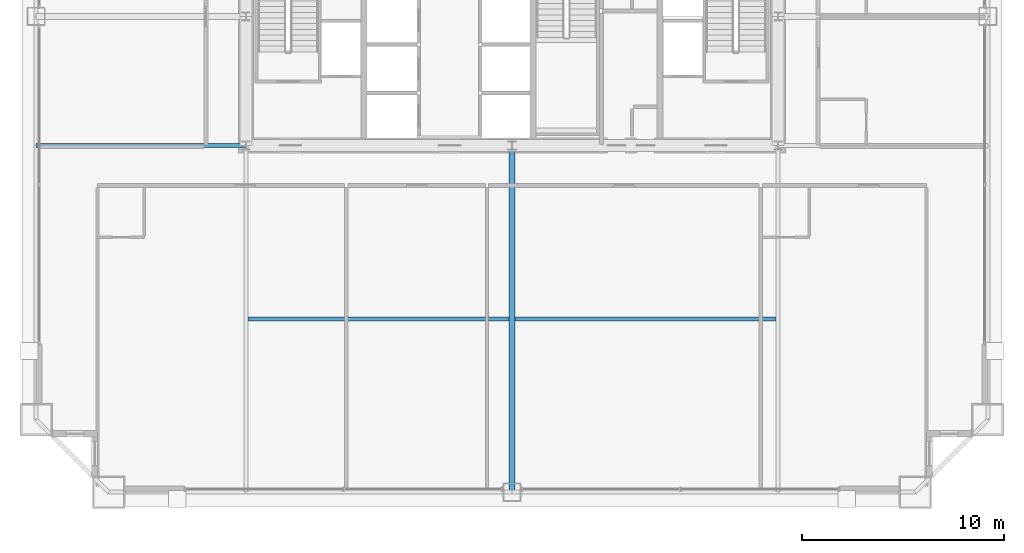
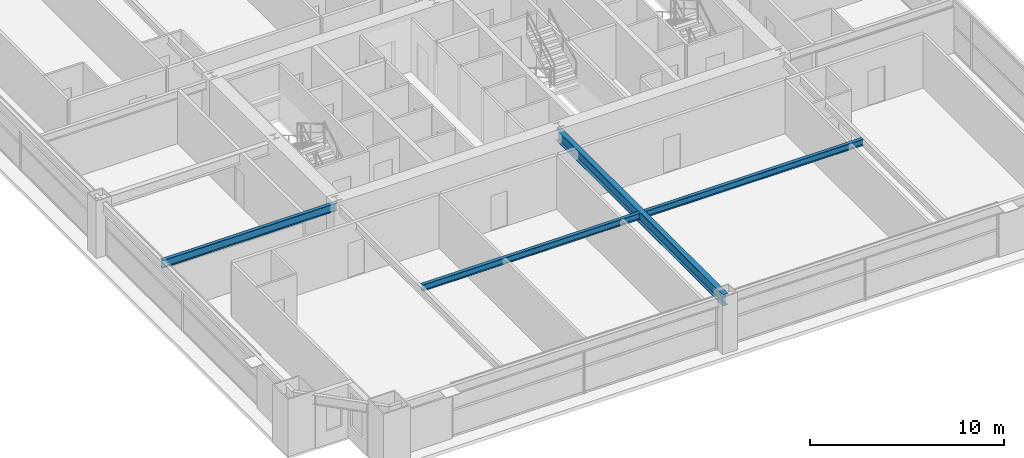
# One storey, part 10 of 38: 4 beams.
"""IFC4 building model written with IfcOpenShell, lengths in metres."""

from ifc_helpers import new_model, si_unit, direction, frame, origin, origin_2d, place, context, subcontext, project, spatial, i_section, extrude, source, transform, mapped, material, material_profile, profile_set, type_object, element, save


model = new_model("IFC4")

# Units and contexts
model_context = context("Model", 3, precision=1e-05, world=origin(), true_north=direction((0.0, 1.0)))
body_context = subcontext(model_context, "Body", "Model", "MODEL_VIEW")
ifc_project = project(units=[si_unit("LENGTHUNIT", "METRE"), si_unit("AREAUNIT", "SQUARE_METRE"), si_unit("VOLUMEUNIT", "CUBIC_METRE"), si_unit("PLANEANGLEUNIT", "RADIAN"), si_unit("MASSUNIT", "GRAM", prefix="KILO"), si_unit("THERMODYNAMICTEMPERATUREUNIT", "KELVIN"), si_unit("POWERUNIT", "WATT")], contexts=[model_context])

# Site, building, storey
site_placement = place(None, origin())
site = spatial("IfcSite", under=ifc_project, at=site_placement, CompositionType="ELEMENT")
building_placement = place(site_placement, origin())
building = spatial("IfcBuilding", under=site, at=building_placement, Name="Yuzanri Waterfront Tower", CompositionType="ELEMENT")
storey_placement = place(building_placement, frame((0.0, 0.0, 119.0)))
storey = spatial("IfcBuildingStorey", under=building, at=storey_placement, Name="L31", CompositionType="ELEMENT", Elevation=119.0)

# Beams
ifc_material_1 = material(Name="Steel Q355B", Category="steel")
ifc_material_profile_1 = material_profile(ifc_material_1, i_section(OverallWidth=0.199951171875, OverallDepth=0.39990234375, WebThickness=0.008056640625, FlangeThickness=0.012939453125, at=origin_2d()), Name="HN 400x200x8x13")
ifc_profile_set_1 = profile_set([ifc_material_profile_1], Name="Steel Q355B")
beam_type_1 = type_object("IfcBeamType", Name="Floor Joist Q355B HN 400x200", PredefinedType="JOIST", material=ifc_profile_set_1)
shared_shape_1 = source(origin(), body_context, "Body", "SweptSolid", [
    extrude(i_section(OverallWidth=0.199951171875, OverallDepth=0.39990234375, WebThickness=0.008056640625, FlangeThickness=0.012939453125, at=origin_2d()), origin(), (0.0, 0.0, 1.0), 12.9501953125),
])
for number, where, z_axis, x_axis, name in (
    (1, (23.89990234375, 10.800048828125, 3.179931640625), (1.0, 0.0, 0.0), (0.0, 1.0, 0.0), "L31 South Bay Joist W"),
    (2, (37.14990234375, 10.800048828125, 3.179931640625), (1.0, 0.0, 0.0), (0.0, 1.0, 0.0), "L31 South Bay Joist E"),
):
    element("IfcBeam", number, at=place(storey_placement, frame(where, z_axis=z_axis, x_axis=x_axis)), inside=storey, type_object=beam_type_1, Name=name, PredefinedType="JOIST", context=body_context, shape_type="MappedRepresentation", body=[
        mapped(shared_shape_1, transform((0.0, 0.0, 0.0), scale=1.0)),
    ])
ifc_material_2 = material(Name="Steel Q355B", Category="steel")
ifc_material_profile_2 = material_profile(ifc_material_2, i_section(OverallWidth=0.300048828125, OverallDepth=0.699951171875, WebThickness=0.012939453125, FlangeThickness=0.02392578125, at=origin_2d()), Name="HN 700x300x13x24")
ifc_profile_set_2 = profile_set([ifc_material_profile_2], Name="Steel Q355B")
beam_type_2 = type_object("IfcBeamType", Name="Primary Floor Girder Q355B HN 700x300", PredefinedType="BEAM", material=ifc_profile_set_2)
shared_shape_2 = source(origin(), body_context, "Body", "SweptSolid", [
    extrude(i_section(OverallWidth=0.300048828125, OverallDepth=0.699951171875, WebThickness=0.012939453125, FlangeThickness=0.02392578125, at=origin_2d()), origin(), (0.0, 0.0, 1.0), 17.199951171875),
])
beam_1_placement = place(storey_placement, frame((37.0, 19.39990234375, 3.030029296875), z_axis=(0.0, -1.0, 0.0), x_axis=(1.0, 0.0, 0.0)))
element("IfcBeam", 3, at=beam_1_placement, inside=storey, type_object=beam_type_2, Name="L31 South Grid Girder", PredefinedType="BEAM", context=body_context, shape_type="MappedRepresentation", body=[
    mapped(shared_shape_2, transform((0.0, 0.0, 0.0), scale=1.0)),
])
ifc_material_3 = material(Name="Steel Q355B", Category="steel")
ifc_material_profile_3 = material_profile(ifc_material_3, i_section(OverallWidth=0.199951171875, OverallDepth=0.5, WebThickness=0.010009765625, FlangeThickness=0.01611328125, at=origin_2d()), Name="HN 500x200x10x16")
ifc_profile_set_3 = profile_set([ifc_material_profile_3], Name="Steel Q355B")
beam_type_3 = type_object("IfcBeamType", Name="Secondary Floor Beam Q355B HN 500x200", PredefinedType="BEAM", material=ifc_profile_set_3)
shared_shape_3 = source(origin(), body_context, "Body", "SweptSolid", [
    extrude(i_section(OverallWidth=0.199951171875, OverallDepth=0.5, WebThickness=0.010009765625, FlangeThickness=0.01611328125, at=origin_2d()), origin(), (0.0, 0.0, 1.0), 10.400146484375),
])
beam_2_placement = place(storey_placement, frame((23.800048828125, 19.39990234375, 3.1298828125), z_axis=(-1.0, 0.0, 0.0), x_axis=(0.0, -1.0, 0.0)))
element("IfcBeam", 4, at=beam_2_placement, inside=storey, type_object=beam_type_3, Name="L31 West-South Core Line Beam", PredefinedType="BEAM", context=body_context, shape_type="MappedRepresentation", body=[
    mapped(shared_shape_3, transform((0.0, 0.0, 0.0), scale=1.0)),
])

save(model, "model.ifc")
